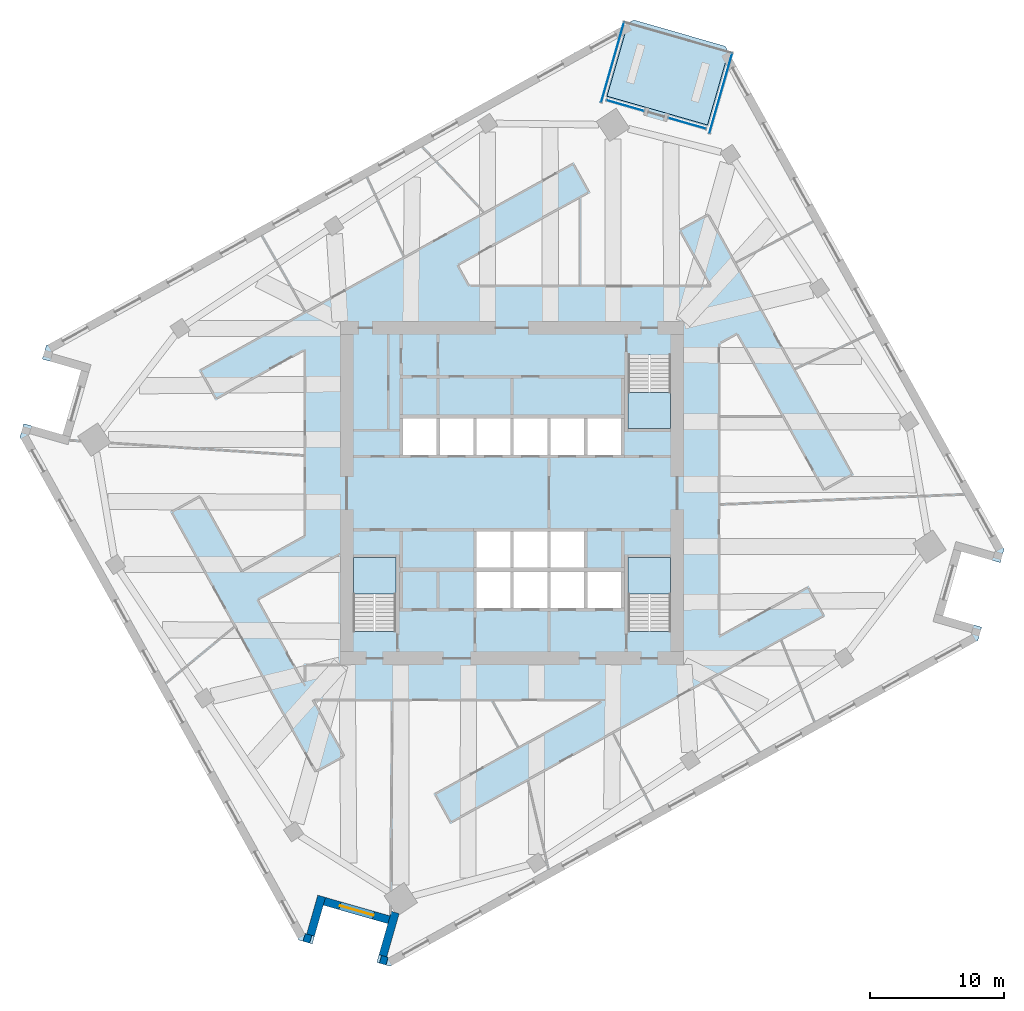
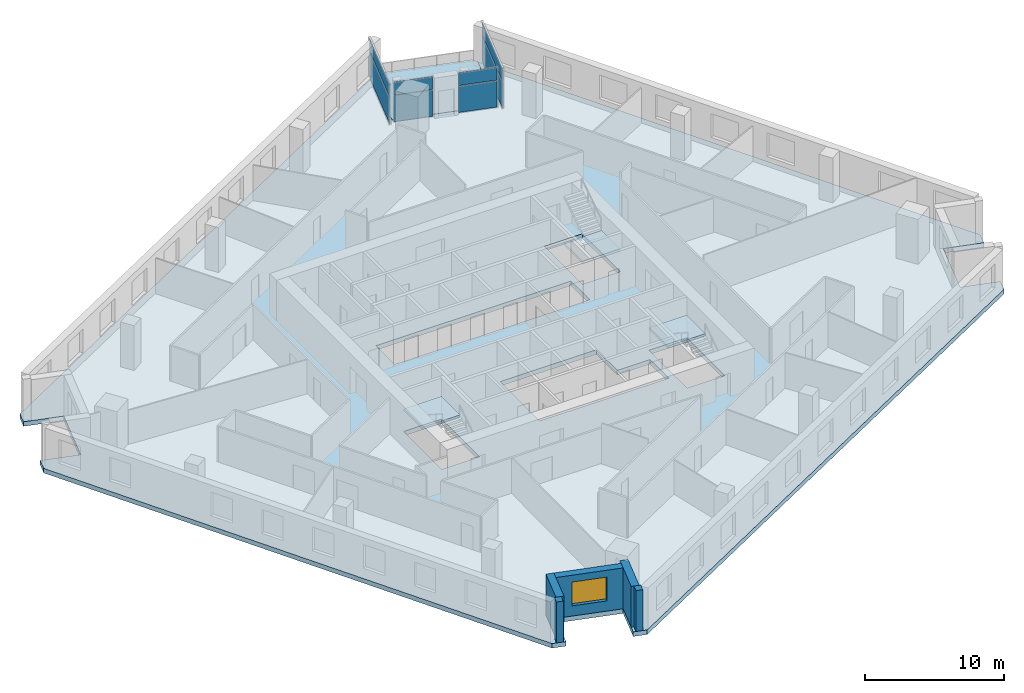
# One storey, part 4 of 12: 8 plates, 5 slabs, 5 walls, 1 window, 1 opening, 7 elements without a shape of their own.
"""IFC4 building model written with IfcOpenShell, lengths in metres."""

from ifc_helpers import new_model, si_unit, direction, frame, frame_2d, origin, origin_2d, place, context, subcontext, project, spatial, polyline, rectangle, outline, extrude, material, layer, layer_set, type_object, element, fill, aggregate, save


model = new_model("IFC4")

# Units and contexts
model_context = context("Model", 3, precision=1e-05, world=origin(), true_north=direction((0.0, 1.0)))
body_context = subcontext(model_context, "Body", "Model", "MODEL_VIEW")
ifc_project = project(units=[si_unit("LENGTHUNIT", "METRE"), si_unit("AREAUNIT", "SQUARE_METRE"), si_unit("VOLUMEUNIT", "CUBIC_METRE"), si_unit("PLANEANGLEUNIT", "RADIAN"), si_unit("MASSUNIT", "GRAM", prefix="KILO")], contexts=[model_context])

# Site, building, storey
site_placement = place(None, origin())
site = spatial("IfcSite", under=ifc_project, at=site_placement, CompositionType="ELEMENT")
building_placement = place(site_placement, origin())
building = spatial("IfcBuilding", under=site, at=building_placement, Name="Dilmun Exchange Tower", CompositionType="ELEMENT")
storey_placement = place(building_placement, frame((0.0, 0.0, 143.699951171875)))
storey = spatial("IfcBuildingStorey", under=building, at=storey_placement, Name="L33", CompositionType="ELEMENT", Elevation=143.699951171875)

# Stair, slab
ifc_material_1 = material(Name="Concrete C40/50", Category="concrete")
stair_type = type_object("IfcStairType", Name="Exit stair 1500 half-turn", PredefinedType="HALF_TURN_STAIR", material=ifc_material_1)
stair_1_placement = place(storey_placement, origin())
stair_1 = element("IfcStair", 1, at=stair_1_placement, inside=storey, type_object=stair_type, Name="L33 Protected exit stair ST1", PredefinedType="HALF_TURN_STAIR")
ifc_layer_1 = layer(ifc_material_1, 0.199951171875)
ifc_layer_set_1 = layer_set([ifc_layer_1], Name="Concrete C40/50")
slab_type_1 = type_object("IfcSlabType", Name="Exit stair landing 200", PredefinedType="LANDING", material=ifc_layer_set_1)
slab_1_placement = place(storey_placement, frame((0.0, 0.0, 1.800048828125)))
slab_1 = element("IfcSlab", 2, at=slab_1_placement, type_object=slab_type_1, Name="ST1 landing 1", PredefinedType="LANDING", context=body_context, shape_type="SweptSolid", body=[
    extrude(outline(polyline([(8.64990234375, 7.5), (8.64990234375, 4.800048828125), (11.800048828125, 4.800048828125), (11.800048828125, 7.5), (8.64990234375, 7.5)])), origin(), (0.0, 0.0, 1.0), 0.199951171875),
])
aggregate(stair_1, [slab_1])

stair_2_placement = place(storey_placement, origin())
stair_2 = element("IfcStair", 3, at=stair_2_placement, inside=storey, type_object=stair_type, Name="L33 Protected exit stair ST2", PredefinedType="HALF_TURN_STAIR")
slab_2_placement = place(storey_placement, frame((0.0, 0.0, 1.800048828125)))
slab_2 = element("IfcSlab", 4, at=slab_2_placement, type_object=slab_type_1, Name="ST2 landing 1", PredefinedType="LANDING", context=body_context, shape_type="SweptSolid", body=[
    extrude(outline(polyline([(-8.64990234375, -7.5), (-8.64990234375, -4.800048828125), (-11.800048828125, -4.800048828125), (-11.800048828125, -7.5), (-8.64990234375, -7.5)])), origin(), (0.0, 0.0, 1.0), 0.199951171875),
])
aggregate(stair_2, [slab_2])

stair_3_placement = place(storey_placement, origin())
stair_3 = element("IfcStair", 5, at=stair_3_placement, inside=storey, type_object=stair_type, Name="L33 Protected exit stair ST3", PredefinedType="HALF_TURN_STAIR")
slab_3_placement = place(storey_placement, frame((0.0, 0.0, 1.800048828125)))
slab_3 = element("IfcSlab", 6, at=slab_3_placement, type_object=slab_type_1, Name="ST3 landing 1", PredefinedType="LANDING", context=body_context, shape_type="SweptSolid", body=[
    extrude(outline(polyline([(11.800048828125, -7.5), (11.800048828125, -4.800048828125), (8.64990234375, -4.800048828125), (8.64990234375, -7.5), (11.800048828125, -7.5)])), origin(), (0.0, 0.0, 1.0), 0.199951171875),
])
aggregate(stair_3, [slab_3])

# Curtain wall, plates
ifc_material_2 = material(Name="Anodised aluminium and clear glass", Category="aluminium")
curtain_wall_type = type_object("IfcCurtainWallType", Name="Garden corner glazing", PredefinedType="NOTDEFINED", material=ifc_material_2)
curtain_wall_1_placement = place(storey_placement, origin())
curtain_wall_1 = element("IfcCurtainWall", 7, at=curtain_wall_1_placement, inside=storey, type_object=curtain_wall_type, Name="Garden corner glazing run GC1.1", PredefinedType="NOTDEFINED")
ifc_material_3 = material(Name="Clear glass", Category="glass")
ifc_layer_2 = layer(ifc_material_3, 0.028076171875)
ifc_layer_set_2 = layer_set([ifc_layer_2], Name="Clear glass")
plate_type = type_object("IfcPlateType", Name="Garden corner glazing glass panel 28", PredefinedType="CURTAIN_PANEL", material=ifc_layer_set_2)
plate_1_placement = place(storey_placement, frame((15.533447265625, 29.739013671875, 0.06005859375), z_axis=(0.0, 0.0, 1.0), x_axis=(-0.275632327054, -0.961263137899, 0.0)))
plate_1 = element("IfcPlate", 8, at=plate_1_placement, type_object=plate_type, Name="GC1.1 panel 1.1", PredefinedType="CURTAIN_PANEL", context=body_context, shape_type="SweptSolid", body=[
    extrude(rectangle(XDim=6.12646484375, YDim=0.028076171875, at=origin_2d()), origin(), (0.0, 0.0, 1.0), 2.31005859375),
])
plate_2_placement = place(storey_placement, frame((15.533447265625, 29.739013671875, 2.43017578125), z_axis=(0.0, 0.0, 1.0), x_axis=(-0.275632327054, -0.961263137899, 0.0)))
plate_2 = element("IfcPlate", 9, at=plate_2_placement, type_object=plate_type, Name="GC1.1 panel 1.2", PredefinedType="CURTAIN_PANEL", context=body_context, shape_type="SweptSolid", body=[
    extrude(rectangle(XDim=6.12646484375, YDim=0.028076171875, at=origin_2d()), origin(), (0.0, 0.0, 1.0), 1.110107421875),
])
aggregate(curtain_wall_1, [plate_1, plate_2])

curtain_wall_2_placement = place(storey_placement, origin())
curtain_wall_2 = element("IfcCurtainWall", 10, at=curtain_wall_2_placement, inside=storey, type_object=curtain_wall_type, Name="Garden corner glazing run GC2.1", PredefinedType="NOTDEFINED")
plate_3_placement = place(storey_placement, frame((13.0302734375, 27.519775390625, 0.06005859375), z_axis=(0.0, 0.0, 1.0), x_axis=(-0.96125332038, 0.275666563186, 0.0)))
plate_3 = element("IfcPlate", 11, at=plate_3_placement, type_object=plate_type, Name="GC2.1 panel 1.1", PredefinedType="CURTAIN_PANEL", context=body_context, shape_type="SweptSolid", body=[
    extrude(rectangle(XDim=2.869140625, YDim=0.028076171875, at=origin_2d()), origin(), (0.0, 0.0, 1.0), 2.31005859375),
])
plate_4_placement = place(storey_placement, frame((13.0302734375, 27.519775390625, 2.43017578125), z_axis=(0.0, 0.0, 1.0), x_axis=(-0.96125332038, 0.275666563186, 0.0)))
plate_4 = element("IfcPlate", 12, at=plate_4_placement, type_object=plate_type, Name="GC2.1 panel 1.2", PredefinedType="CURTAIN_PANEL", context=body_context, shape_type="SweptSolid", body=[
    extrude(rectangle(XDim=2.869140625, YDim=0.028076171875, at=origin_2d()), origin(), (0.0, 0.0, 1.0), 1.110107421875),
])
aggregate(curtain_wall_2, [plate_3, plate_4])

curtain_wall_3_placement = place(storey_placement, origin())
curtain_wall_3 = element("IfcCurtainWall", 13, at=curtain_wall_3_placement, inside=storey, type_object=curtain_wall_type, Name="Garden corner glazing run GC2.3", PredefinedType="NOTDEFINED")
plate_5_placement = place(storey_placement, frame((8.4267578125, 28.83984375, 0.06005859375), z_axis=(0.0, 0.0, 1.0), x_axis=(-0.961262184967, 0.275635650366, 0.0)))
plate_5 = element("IfcPlate", 14, at=plate_5_placement, type_object=plate_type, Name="GC2.3 panel 1.1", PredefinedType="CURTAIN_PANEL", context=body_context, shape_type="SweptSolid", body=[
    extrude(rectangle(XDim=2.869140625, YDim=0.028076171875, at=origin_2d()), origin(), (0.0, 0.0, 1.0), 2.31005859375),
])
plate_6_placement = place(storey_placement, frame((8.4267578125, 28.83984375, 2.43017578125), z_axis=(0.0, 0.0, 1.0), x_axis=(-0.961262184967, 0.275635650366, 0.0)))
plate_6 = element("IfcPlate", 15, at=plate_6_placement, type_object=plate_type, Name="GC2.3 panel 1.2", PredefinedType="CURTAIN_PANEL", context=body_context, shape_type="SweptSolid", body=[
    extrude(rectangle(XDim=2.869140625, YDim=0.028076171875, at=origin_2d()), origin(), (0.0, 0.0, 1.0), 1.110107421875),
])
aggregate(curtain_wall_3, [plate_5, plate_6])

curtain_wall_4_placement = place(storey_placement, origin())
curtain_wall_4 = element("IfcCurtainWall", 16, at=curtain_wall_4_placement, inside=storey, type_object=curtain_wall_type, Name="Garden corner glazing run GC3.1", PredefinedType="NOTDEFINED")
plate_7_placement = place(storey_placement, frame((7.47998046875, 32.04833984375, 0.06005859375), z_axis=(0.0, 0.0, 1.0), x_axis=(0.275628085354, 0.961264354152, 0.0)))
plate_7 = element("IfcPlate", 17, at=plate_7_placement, type_object=plate_type, Name="GC3.1 panel 1.1", PredefinedType="CURTAIN_PANEL", context=body_context, shape_type="SweptSolid", body=[
    extrude(rectangle(XDim=6.12646484375, YDim=0.028076171875, at=origin_2d()), origin(), (0.0, 0.0, 1.0), 2.31005859375),
])
plate_8_placement = place(storey_placement, frame((7.47998046875, 32.04833984375, 2.43017578125), z_axis=(0.0, 0.0, 1.0), x_axis=(0.275628085354, 0.961264354152, 0.0)))
plate_8 = element("IfcPlate", 18, at=plate_8_placement, type_object=plate_type, Name="GC3.1 panel 1.2", PredefinedType="CURTAIN_PANEL", context=body_context, shape_type="SweptSolid", body=[
    extrude(rectangle(XDim=6.12646484375, YDim=0.028076171875, at=origin_2d()), origin(), (0.0, 0.0, 1.0), 1.110107421875),
])
aggregate(curtain_wall_4, [plate_7, plate_8])

# Slabs
ifc_layer_3 = layer(ifc_material_1, 0.39990234375)
ifc_layer_set_3 = layer_set([ifc_layer_3], Name="Concrete C40/50")
slab_type_2 = type_object("IfcSlabType", Name="RC floor slab 400", PredefinedType="FLOOR", material=ifc_layer_set_3)
slab_4_placement = place(storey_placement, frame((0.0, 0.0, -0.39990234375)))
element("IfcSlab", 19, at=slab_4_placement, inside=storey, type_object=slab_type_2, Name="Floor slab", PredefinedType="FLOOR", context=body_context, shape_type="SweptSolid", body=[
    extrude(outline(polyline([(36.328125, -5.16796875), (33.4443359375, -4.341064453125), (32.066162109375, -9.1474609375), (34.949951171875, -9.974365234375), (34.66455078125, -10.9697265625), (-9.06640625, -35.210205078125), (-10.06201171875, -34.9248046875), (-9.235107421875, -32.041015625), (-14.041259765625, -30.662841796875), (-14.8681640625, -33.546630859375), (-15.86376953125, -33.26123046875), (-36.613525390625, 4.172607421875), (-36.328125, 5.16796875), (-33.4443359375, 4.341064453125), (-32.066162109375, 9.1474609375), (-34.949951171875, 9.974365234375), (-34.66455078125, 10.9697265625), (8.629150390625, 34.9677734375), (7.07275390625, 29.5400390625), (14.5498046875, 27.39599609375), (16.106201171875, 32.82373046875), (36.613525390625, -4.172607421875), (36.328125, -5.16796875)]), holes=[polyline([(-8.64990234375, -4.800048828125), (-11.800048828125, -4.800048828125), (-11.800048828125, -10.294921875), (-8.64990234375, -10.294921875), (-8.64990234375, -4.800048828125)]), polyline([(11.800048828125, -4.800048828125), (8.64990234375, -4.800048828125), (8.64990234375, -10.294921875), (11.800048828125, -10.294921875), (11.800048828125, -4.800048828125)]), polyline([(5.375, -2.85009765625), (-2.625, -2.85009765625), (-2.625, -8.550048828125), (8.125, -8.550048828125), (8.125, -5.85009765625), (5.375, -5.85009765625), (5.375, -2.85009765625)]), polyline([(8.125, 2.85009765625), (8.125, 5.550048828125), (-8.125, 5.550048828125), (-8.125, 2.85009765625), (8.125, 2.85009765625)]), polyline([(8.64990234375, 10.294921875), (8.64990234375, 4.800048828125), (11.800048828125, 4.800048828125), (11.800048828125, 10.294921875), (8.64990234375, 10.294921875)])]), origin(), (0.0, 0.0, 1.0), 0.39990234375),
])
ifc_layer_4 = layer(ifc_material_1, 0.300048828125)
ifc_layer_set_4 = layer_set([ifc_layer_4], Name="Concrete C40/50")
slab_type_3 = type_object("IfcSlabType", Name="RC garden terrace slab 300", PredefinedType="FLOOR", material=ifc_layer_set_4)
slab_5_placement = place(storey_placement, frame((0.0, 0.0, -0.300048828125)))
element("IfcSlab", 20, at=slab_5_placement, inside=storey, type_object=slab_type_3, Name="Garden terrace slab", PredefinedType="FLOOR", context=body_context, shape_type="SweptSolid", body=[
    extrude(outline(polyline([(7.07275390625, 29.5400390625), (8.629150390625, 34.9677734375), (9.06640625, 35.210205078125), (15.86376953125, 33.26123046875), (16.106201171875, 32.82373046875), (14.5498046875, 27.39599609375), (7.07275390625, 29.5400390625)])), origin(), (0.0, 0.0, 1.0), 0.300048828125),
])

# Walls
ifc_material_4 = material(Name="Precast concrete C50/60", Category="concrete")
ifc_layer_5 = layer(ifc_material_4, 0.60009765625)
ifc_layer_set_5 = layer_set([ifc_layer_5], Name="Precast concrete C50/60")
wall_type = type_object("IfcWallType", Name="Precast stone-clad wall 600", PredefinedType="STANDARD", material=ifc_layer_set_5)
wall_1_placement = place(storey_placement, frame((-15.46923828125, -33.062255859375, 0.0), z_axis=(0.0, 0.0, 1.0), x_axis=(0.961289332823, -0.275540956303, 0.0)))
element("IfcWall", 21, at=wall_1_placement, inside=storey, type_object=wall_type, Name="Facade wall L33-10", PredefinedType="STANDARD", context=body_context, shape_type="SweptSolid", body=[
    extrude(rectangle(XDim=0.51123046875, YDim=0.60009765625, at=frame_2d((0.255615234375, 0.0))), origin(), (0.0, 0.0, 1.0), 3.60009765625),
])
wall_2_placement = place(storey_placement, frame((-14.9912109375, -32.88720703125, 0.0), z_axis=(0.0, 0.0, 1.0), x_axis=(0.275634611374, 0.96126248289, 0.0)))
element("IfcWall", 22, at=wall_2_placement, inside=storey, type_object=wall_type, Name="Facade wall L33-11", PredefinedType="STANDARD", context=body_context, shape_type="SweptSolid", body=[
    extrude(rectangle(XDim=3.0, YDim=0.60009765625, at=frame_2d((1.5, 0.0))), origin(), (0.0, 0.0, 1.0), 3.60009765625),
])

# Wall, opening, window
wall_3_placement = place(storey_placement, frame((-13.95849609375, -30.37451171875, 0.0), z_axis=(0.0, 0.0, 1.0), x_axis=(0.961260009649, -0.275643236537, 0.0)))
wall_3 = element("IfcWall", 23, at=wall_3_placement, inside=storey, type_object=wall_type, Name="Facade wall L33-12", PredefinedType="STANDARD", context=body_context, shape_type="SweptSolid", body=[
    extrude(rectangle(XDim=4.999755859375, YDim=0.60009765625, at=frame_2d((2.5, 0.0))), origin(), (0.0, 0.0, 1.0), 3.60009765625),
])
opening_placement = place(wall_3_placement, frame((1.199951171875, 0.0, 0.89990234375)))
opening = element("IfcOpeningElement", 24, at=opening_placement, cuts=wall_3, Name="Opening W260-210", PredefinedType="OPENING", context=body_context, shape_type="SweptSolid", body=[
    extrude(rectangle(XDim=2.60009765625, YDim=2.10009765625, at=frame_2d((1.300048828125, 1.050048828125))), frame((0.0, 0.31005859375, 0.0), z_axis=(0.0, -1.0, 0.0), x_axis=(1.0, 0.0, 0.0)), (0.0, 0.0, 1.0), 0.6201171875),
])
ifc_material_5 = material(Name="Clear low-emissivity glass in aluminium frame", Category="aluminium")
window_type = type_object("IfcWindowType", Name="Punched window 2600 x 2100", PartitioningType="DOUBLE_PANEL_VERTICAL", PredefinedType="WINDOW", material=ifc_material_5)
window_placement = place(opening_placement, origin())
window = element("IfcWindow", 25, at=window_placement, inside=storey, type_object=window_type, Name="Window 13.1", OverallHeight=2.10009765625, OverallWidth=2.60009765625, PartitioningType="SINGLE_PANEL", PredefinedType="WINDOW", context=body_context, shape_type="SweptSolid", body=[
    extrude(rectangle(XDim=2.60009765625, YDim=2.10009765625, at=frame_2d((1.300048828125, 1.050048828125))), frame((0.0, 0.030029296875, 0.0), z_axis=(0.0, -1.0, 0.0), x_axis=(1.0, 0.0, 0.0)), (0.0, 0.0, 1.0), 0.06005859375),
])
fill(opening, window)

# Walls
wall_4_placement = place(storey_placement, frame((-8.68310546875, -31.205078125, 0.0), z_axis=(0.0, 0.0, 1.0), x_axis=(-0.275672311862, -0.961251671766, 0.0)))
element("IfcWall", 26, at=wall_4_placement, inside=storey, type_object=wall_type, Name="Facade wall L33-13", PredefinedType="STANDARD", context=body_context, shape_type="SweptSolid", body=[
    extrude(rectangle(XDim=3.355712890625, YDim=0.60009765625, at=frame_2d((1.677734375, 0.0))), origin(), (0.0, 0.0, 1.0), 3.60009765625),
])
wall_5_placement = place(storey_placement, frame((-9.787109375, -34.69140625, 0.0), z_axis=(0.0, 0.0, 1.0), x_axis=(0.96119910246, -0.275855551749, 0.0)))
element("IfcWall", 27, at=wall_5_placement, inside=storey, type_object=wall_type, Name="Facade wall L33-14", PredefinedType="STANDARD", context=body_context, shape_type="SweptSolid", body=[
    extrude(rectangle(XDim=0.511474609375, YDim=0.60009765625, at=frame_2d((0.255859375, 0.0))), origin(), (0.0, 0.0, 1.0), 3.60009765625),
])

save(model, "model.ifc")
